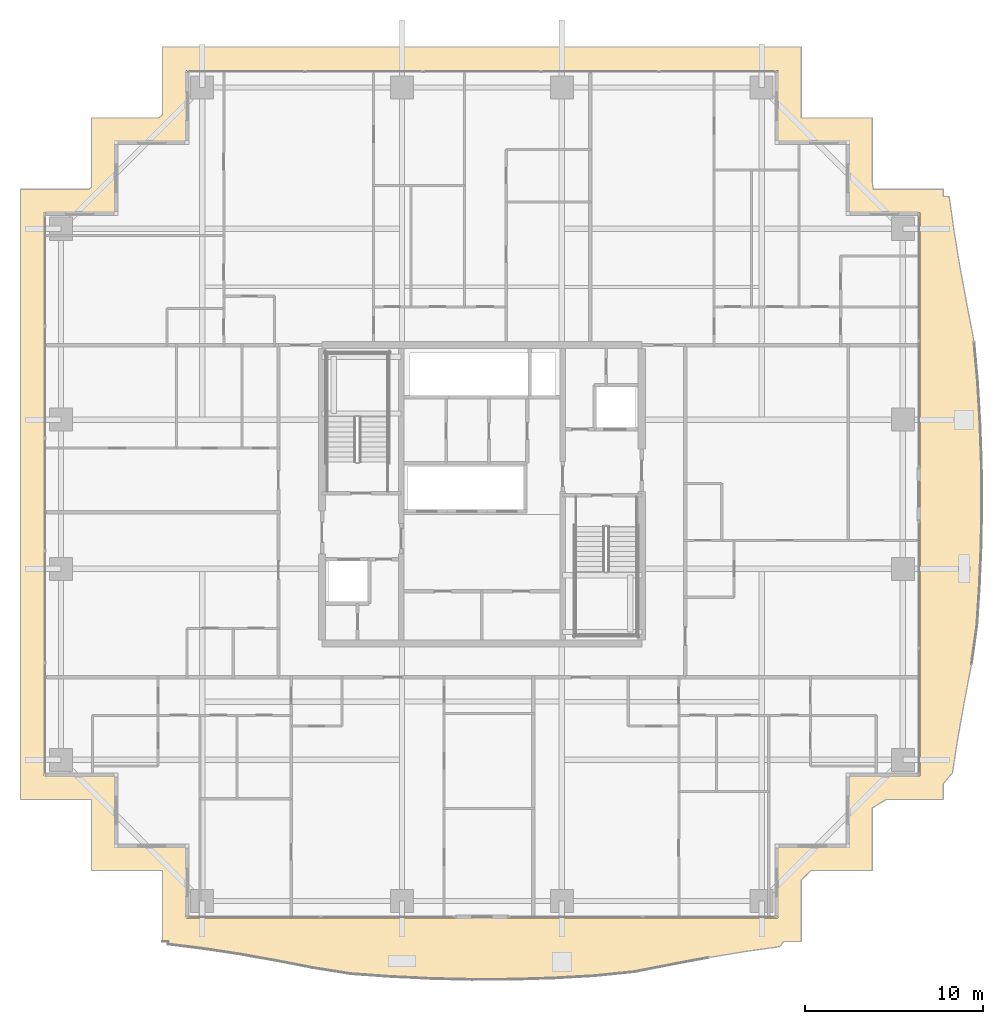
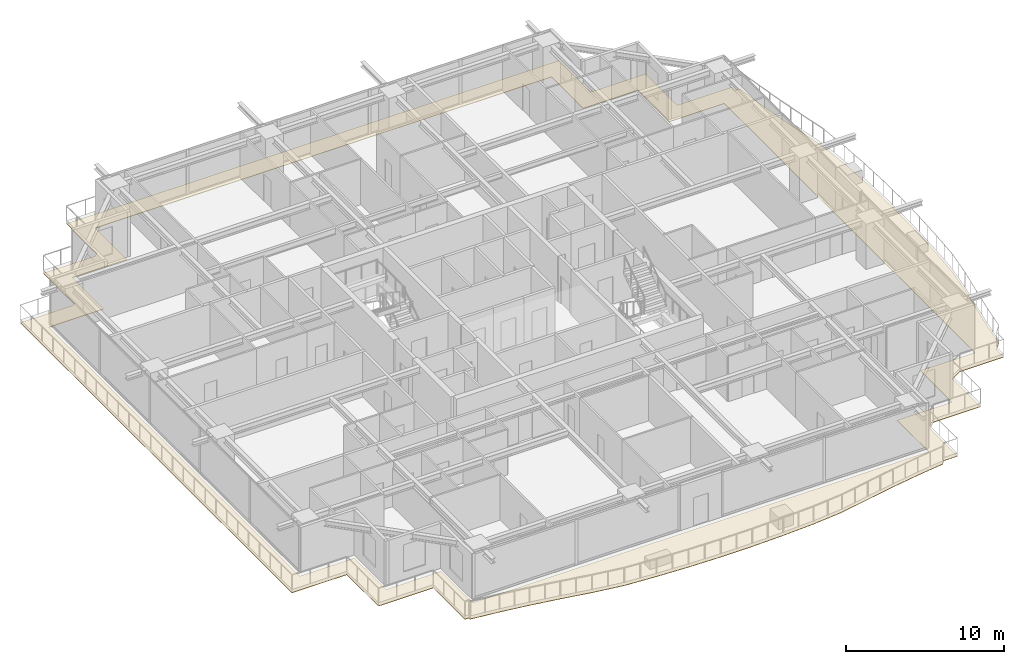
# One storey, part 36 of 38: 1 covering.
"""IFC4 building model written with IfcOpenShell, lengths in metres."""

import ifcopenshell
import ifcopenshell.guid

model = None  # the IFC model being written
_history = None  # IfcOwnerHistory: only IFC2X3 demands one
_inside = {}  # id of a spatial element -> (the spatial element, [elements in it])
_under = {}  # id of a project, library or spatial element -> (it, [spatial elements below it])
_declared = {}  # id of a project -> (the project, [libraries it declares])
_typed = {}  # id of a type object -> (the type object, [elements of that type])
_made_of = {}  # id of a material, layer set ... -> (it, [elements and type objects made of it])


def new_model(schema):
    """Start an empty IFC model of exactly this schema.

    Asked for "IFC4X3", IfcOpenShell would pick the latest addendum, in which some entities
    have other attributes; the version numbers below select the first issue.
    IFC2X3 requires an IfcOwnerHistory on every rooted entity: one is made here for all.
    """
    global model, _history
    if schema == "IFC4X3":
        model = ifcopenshell.file(schema_version=(4, 3, 0, 0))
    else:
        model = ifcopenshell.file(schema=schema)
    _inside.clear()
    _under.clear()
    _declared.clear()
    _typed.clear()
    _made_of.clear()
    _history = None
    if model.schema == "IFC2X3":
        org = make("IfcOrganization", Name="unknown")
        user = make(
            "IfcPersonAndOrganization",
            ThePerson=make("IfcPerson", FamilyName="unknown"),
            TheOrganization=org,
        )
        app = make(
            "IfcApplication",
            ApplicationDeveloper=org,
            Version="unknown",
            ApplicationFullName="unknown",
            ApplicationIdentifier="unknown",
        )
        _history = make(
            "IfcOwnerHistory",
            OwningUser=user,
            OwningApplication=app,
            ChangeAction="ADDED",
            CreationDate=0,
        )
    return model


def make(cls, **values):
    """One entity of the class cls with the attributes given. An attribute that is None is left unset."""
    return model.create_entity(
        cls, **{name: value for name, value in values.items() if value is not None}
    )


def rooted(cls, **values):
    """An entity with a GlobalId (a new one), such as an element, a storey or a relation."""
    return make(cls, GlobalId=ifcopenshell.guid.new(), OwnerHistory=_history, **values)


def si_unit(unit_type, name, prefix=None):
    """IfcSIUnit, for example si_unit("LENGTHUNIT", "METRE", prefix="MILLI")."""
    return make("IfcSIUnit", UnitType=unit_type, Prefix=prefix, Name=name)


def assignment(units):
    """IfcUnitAssignment: the units of a project."""
    return None if units is None else make("IfcUnitAssignment", Units=units)


def point(xyz):
    """IfcCartesianPoint."""
    return None if xyz is None else make("IfcCartesianPoint", Coordinates=xyz)


def direction(xyz):
    """IfcDirection."""
    return None if xyz is None else make("IfcDirection", DirectionRatios=xyz)


def frame(location, z_axis=None, x_axis=None):
    """IfcAxis2Placement3D, a coordinate frame: its origin and axes. An axis left out is left unset."""
    return make(
        "IfcAxis2Placement3D",
        Location=point(location),
        Axis=direction(z_axis),
        RefDirection=direction(x_axis),
    )


def origin():
    """The frame at (0, 0, 0) with its axes left unset."""
    return frame((0.0, 0.0, 0.0))


def place(relative_to, where):
    """IfcLocalPlacement: puts the frame where relative to a parent placement (None: the world)."""
    return make(
        "IfcLocalPlacement", PlacementRelTo=relative_to, RelativePlacement=where
    )


def context(
    kind, dimensions, precision=None, world=None, true_north=None, identifier=None
):
    """IfcGeometricRepresentationContext, for example the 3D "Model" context."""
    return make(
        "IfcGeometricRepresentationContext",
        ContextIdentifier=identifier,
        ContextType=kind,
        CoordinateSpaceDimension=dimensions,
        Precision=precision,
        WorldCoordinateSystem=world,
        TrueNorth=true_north,
    )


def subcontext(parent, identifier, kind, view, scale=None):
    """IfcGeometricRepresentationSubContext, for example "Body" below "Model"."""
    return make(
        "IfcGeometricRepresentationSubContext",
        ContextIdentifier=identifier,
        ContextType=kind,
        ParentContext=parent,
        TargetScale=scale,
        TargetView=view,
    )


def project(units=None, contexts=None):
    """IfcProject with its units and contexts."""
    return rooted(
        "IfcProject",
        Name="project",
        RepresentationContexts=contexts,
        UnitsInContext=assignment(units),
    )


def spatial(cls, under=None, at=None, **own):
    """A site, building, storey or space (cls), placed at a placement, below another one or the project."""
    s = rooted(cls, ObjectPlacement=at, **own)
    if under is not None:
        _under.setdefault(under.id(), (under, []))[1].append(s)
    return s


def polyline(points):
    """IfcPolyline through the points."""
    return make("IfcPolyline", Points=[point(p) for p in points])


def outline(outer, holes=None, kind="AREA"):
    """IfcArbitraryClosedProfileDef: a profile drawn as a closed curve; with holes, ...WithVoids."""
    if holes is None:
        return make("IfcArbitraryClosedProfileDef", ProfileType=kind, OuterCurve=outer)
    return make(
        "IfcArbitraryProfileDefWithVoids",
        ProfileType=kind,
        OuterCurve=outer,
        InnerCurves=holes,
    )


def extrude(swept, where, along, depth):
    """IfcExtrudedAreaSolid: the profile swept, set in the frame where, extruded along a direction by depth."""
    return make(
        "IfcExtrudedAreaSolid",
        SweptArea=swept,
        Position=where,
        ExtrudedDirection=direction(along),
        Depth=depth,
    )


def shape(context_of_items, identifier, shape_type, items):
    """IfcShapeRepresentation: the items that make up one representation, for example the "Body"."""
    return make(
        "IfcShapeRepresentation",
        ContextOfItems=context_of_items,
        RepresentationIdentifier=identifier,
        RepresentationType=shape_type,
        Items=items,
    )


def material(Name=None, Category=None):
    """IfcMaterial."""
    return make("IfcMaterial", Name=Name, Category=Category)


def layer(
    of_material, thickness, ventilated=None, Name=None, Category=None, Priority=None
):
    """IfcMaterialLayer: one layer of a wall or slab, of a material (None: an air gap)."""
    return make(
        "IfcMaterialLayer",
        Material=of_material,
        LayerThickness=thickness,
        IsVentilated=ventilated,
        Name=Name,
        Category=Category,
        Priority=Priority,
    )


def layer_set(layers, Name=None):
    """IfcMaterialLayerSet."""
    return make("IfcMaterialLayerSet", MaterialLayers=layers, LayerSetName=Name)


def made_of(thing, what):
    """Note that an element or type object is made of a material, layer set ...; save() writes the relation."""
    if what is not None:
        _made_of.setdefault(what.id(), (what, []))[1].append(thing)
    return thing


def type_object(cls, material=None, **own):
    """A type object (cls), such as IfcWallType, which elements share."""
    return made_of(rooted(cls, **own), material)


def element(
    cls,
    number,
    at=None,
    inside=None,
    cuts=None,
    type_object=None,
    material=None,
    context=None,
    identifier="Body",
    shape_type=None,
    held_by="IfcProductDefinitionShape",
    body=None,
    shapes=None,
    **own,
):
    """One element of the class cls, such as IfcWall. Its Tag is "e" and its number.

    at: its placement. inside: the storey or other place that contains it. cuts: it is an
    opening in that element (IfcRelVoidsElement). A single representation is given by context,
    identifier, shape_type and body (its items); several are given by shapes. held_by: the class
    of the entity that holds the representations. save() writes the other relations.
    """
    e = rooted(cls, Tag="e%d" % number, ObjectPlacement=at, **own)
    if body is not None:
        shapes = [shape(context, identifier, shape_type, body)]
    if shapes is not None:
        e.Representation = make(held_by, Representations=shapes)
    if inside is not None:
        _inside.setdefault(inside.id(), (inside, []))[1].append(e)
    if cuts is not None:
        rooted(
            "IfcRelVoidsElement", RelatingBuildingElement=cuts, RelatedOpeningElement=e
        )
    if type_object is not None:
        _typed.setdefault(type_object.id(), (type_object, []))[1].append(e)
    return made_of(e, material)


def aggregate(whole, parts):
    """IfcRelAggregates: a whole, such as a stair, and the parts it consists of."""
    return rooted("IfcRelAggregates", RelatingObject=whole, RelatedObjects=parts)


def save(model, path):
    """Write the relations noted so far, then the file.

    IfcRelAggregates (storeys below a building ...), IfcRelContainedInSpatialStructure (elements
    in a storey), IfcRelDefinesByType, IfcRelAssociatesMaterial and IfcRelDeclares: one each for
    every whole, place, type object, material and project.
    """
    for whole, parts in _under.values():
        aggregate(whole, parts)
    for where, things in _inside.values():
        rooted(
            "IfcRelContainedInSpatialStructure",
            RelatedElements=things,
            RelatingStructure=where,
        )
    for kind, things in _typed.values():
        rooted("IfcRelDefinesByType", RelatedObjects=things, RelatingType=kind)
    for what, things in _made_of.values():
        rooted("IfcRelAssociatesMaterial", RelatedObjects=things, RelatingMaterial=what)
    for by, libraries in _declared.values():
        rooted("IfcRelDeclares", RelatingContext=by, RelatedDefinitions=libraries)
    model.write(path)


model = new_model("IFC4")

# Units and contexts
model_context = context("Model", 3, precision=1e-05, world=origin(), true_north=direction((0.0, 1.0)))
body_context = subcontext(model_context, "Body", "Model", "MODEL_VIEW")
ifc_project = project(units=[si_unit("LENGTHUNIT", "METRE"), si_unit("AREAUNIT", "SQUARE_METRE"), si_unit("VOLUMEUNIT", "CUBIC_METRE"), si_unit("PLANEANGLEUNIT", "RADIAN"), si_unit("MASSUNIT", "GRAM", prefix="KILO")], contexts=[model_context])

# Site, building, storey
site_placement = place(None, origin())
site = spatial("IfcSite", under=ifc_project, at=site_placement, CompositionType="ELEMENT")
building_placement = place(site_placement, origin())
building = spatial("IfcBuilding", under=site, at=building_placement, Name="Serunith Strait Residences", CompositionType="ELEMENT")
storey_placement = place(building_placement, frame((0.0, 0.0, 176.39990234375)))
storey = spatial("IfcBuildingStorey", under=building, at=storey_placement, Name="L44", CompositionType="ELEMENT", Elevation=176.39990234375)

# Covering
ifc_material = material(Name="Golden Teak Exterior Timber Boarding", Category="wood")
ifc_layer = layer(ifc_material, 0.034912109375, Name="Golden Teak Exterior Timber Boarding")
ifc_layer_set = layer_set([ifc_layer], Name="Golden Teak Exterior Timber Boarding")
covering_type = type_object("IfcCoveringType", Name="COV-TEAK-SOFFIT", PredefinedType="CEILING", material=ifc_layer_set)
covering_placement = place(storey_placement, frame((0.0, 0.0, -0.324951171875)))
element("IfcCovering", 1, at=covering_placement, inside=storey, type_object=covering_type, Name="L44 Golden-Teak Balcony Soffit Lining", PredefinedType="CEILING", context=body_context, shape_type="SweptSolid", body=[
    extrude(outline(polyline([(14.419921875, 0.02001953125), (14.419921875, 4.02001953125), (10.419921875, 4.02001953125), (10.419921875, 8.02001953125), (6.419921875, 8.02001953125), (6.419921875, 42.3798828125), (10.284912109375, 42.3798828125), (10.419921875, 42.47802734375), (10.419921875, 46.3798828125), (14.1982421875, 46.3798828125), (14.419921875, 46.55908203125), (14.419921875, 50.3798828125), (50.3798828125, 50.3798828125), (50.3798828125, 46.3798828125), (54.3798828125, 46.3798828125), (54.3798828125, 42.723388671875), (54.4306640625, 42.3798828125), (58.3798828125, 42.3798828125), (58.3798828125, 41.972412109375), (58.706787109375, 41.95361328125), (58.987060546875, 39.952392578125), (59.322509765625, 37.931640625), (59.7041015625, 35.873779296875), (60.108642578125, 33.760498046875), (60.309326171875, 31.534423828125), (60.442626953125, 29.265869140625), (60.52490234375, 26.97216796875), (60.548095703125, 24.666015625), (60.51025390625, 22.3623046875), (60.414794921875, 20.0751953125), (60.270751953125, 17.81689453125), (59.96142578125, 15.639404296875), (59.562744140625, 13.55078125), (59.197509765625, 11.5107421875), (58.88330078125, 9.500244140625), (58.3798828125, 8.91259765625), (58.3798828125, 8.02001953125), (55.173828125, 8.02001953125), (54.3798828125, 7.547119140625), (54.3798828125, 4.02001953125), (50.934814453125, 4.02001953125), (50.3798828125, 3.486083984375), (50.3798828125, 0.02001953125), (49.37158203125, 0.02001953125), (49.1650390625, -0.2685546875), (47.16650390625, -0.54638671875), (45.149169921875, -0.8828125), (43.09521484375, -1.268798828125), (40.98388671875, -1.68115234375), (38.759521484375, -1.908935546875), (36.481689453125, -2.037109375), (34.1787109375, -2.110107421875), (31.8642578125, -2.120361328125), (29.554931640625, -2.06689453125), (27.265625, -1.955078125), (25.00830078125, -1.79638671875), (22.845458984375, -1.448486328125), (20.76611328125, -1.04541015625), (18.73291015625, -0.683837890625), (16.726806640625, -0.37890625), (14.7314453125, -0.132080078125), (14.732666015625, 0.02001953125), (14.419921875, 0.02001953125)]), holes=[polyline([(49.054931640625, 1.344970703125), (49.054931640625, 5.344970703125), (53.054931640625, 5.344970703125), (53.054931640625, 9.344970703125), (57.054931640625, 9.344970703125), (57.054931640625, 41.054931640625), (53.054931640625, 41.054931640625), (53.054931640625, 45.054931640625), (49.054931640625, 45.054931640625), (49.054931640625, 49.054931640625), (15.7451171875, 49.054931640625), (15.7451171875, 45.054931640625), (11.7451171875, 45.054931640625), (11.7451171875, 41.054931640625), (7.7451171875, 41.054931640625), (7.7451171875, 9.344970703125), (11.7451171875, 9.344970703125), (11.7451171875, 5.344970703125), (15.7451171875, 5.344970703125), (15.7451171875, 1.344970703125), (49.054931640625, 1.344970703125)])]), origin(), (0.0, 0.0, 1.0), 0.03515625),
])

save(model, "model.ifc")
